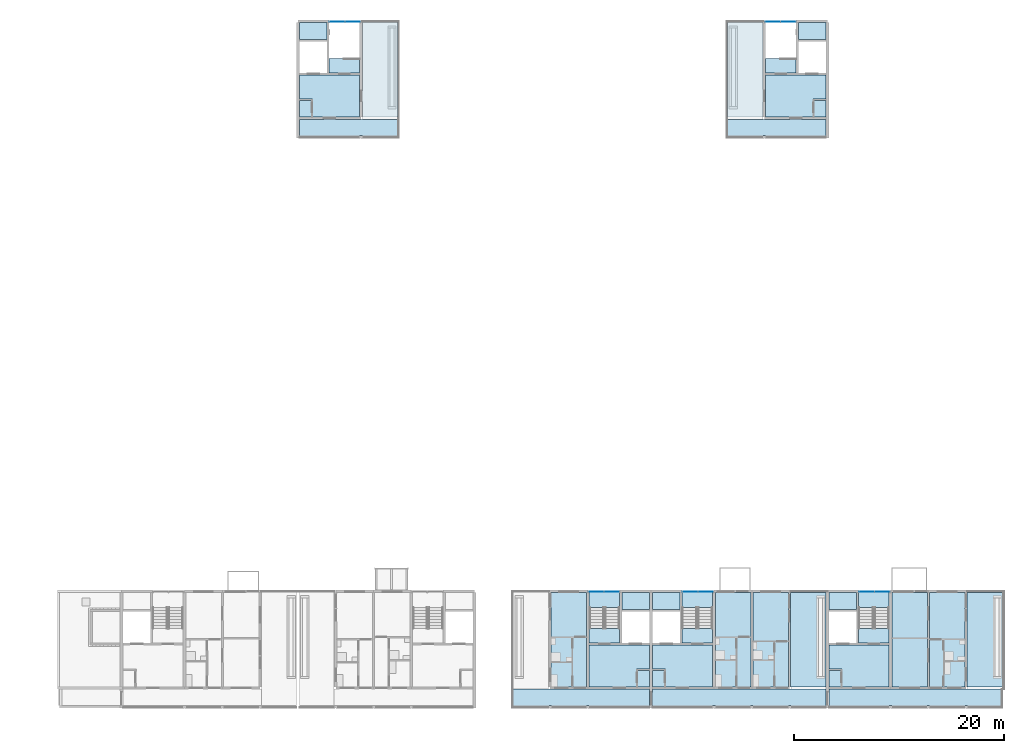
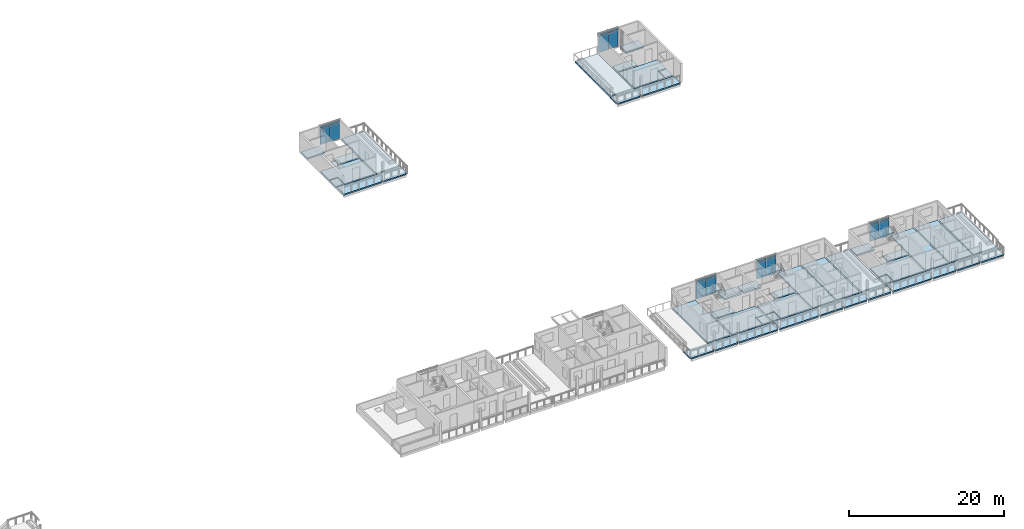
# One storey, part 25 of 55: 37 slabs, 20 plates, 8 elements without a shape of their own.
"""IFC4 building model written with IfcOpenShell, lengths in metres."""

from ifc_helpers import new_model, si_unit, direction, frame, origin, origin_2d, place, context, subcontext, project, spatial, polyline, rectangle, outline, extrude, material, layer, layer_set, type_object, element, aggregate, save


model = new_model("IFC4")

# Units and contexts
model_context = context("Model", 3, precision=1e-05, world=origin(), true_north=direction((0.0, 1.0)))
body_context = subcontext(model_context, "Body", "Model", "MODEL_VIEW")
ifc_project = project(units=[si_unit("LENGTHUNIT", "METRE"), si_unit("AREAUNIT", "SQUARE_METRE"), si_unit("VOLUMEUNIT", "CUBIC_METRE"), si_unit("PLANEANGLEUNIT", "RADIAN"), si_unit("MASSUNIT", "GRAM", prefix="KILO")], contexts=[model_context])

# Site, building, storey
site_placement = place(None, origin())
site = spatial("IfcSite", under=ifc_project, at=site_placement, CompositionType="ELEMENT")
building_placement = place(site_placement, origin())
building = spatial("IfcBuilding", under=site, at=building_placement, Name="Ridgestep Commons", CompositionType="ELEMENT")
storey_placement = place(building_placement, frame((0.0, 0.0, 36.0)))
storey = spatial("IfcBuildingStorey", under=building, at=storey_placement, Name="L12", CompositionType="ELEMENT", Elevation=36.0)

# Slabs
ifc_material_1 = material(Name="Precast concrete C40/50", Category="concrete")
ifc_layer_1 = layer(ifc_material_1, 0.199951171875)
ifc_layer_set_1 = layer_set([ifc_layer_1], Name="Gallery slab 200")
slab_type_1 = type_object("IfcSlabType", Name="Gallery slab 200", PredefinedType="FLOOR", material=ifc_layer_set_1)
slab_1_placement = place(storey_placement, frame((0.0, 0.0, -0.199951171875)))
element("IfcSlab", 1, at=slab_1_placement, inside=storey, type_object=slab_type_1, Name="Gallery slab C3 L12", PredefinedType="FLOOR", context=body_context, shape_type="SweptSolid", body=[
    extrude(outline(polyline([(180.550048828125, 67.800048828125), (180.550048828125, 66.0), (186.27490234375, 66.0), (186.27490234375, 66.25), (186.52490234375, 66.25), (186.52490234375, 66.0), (189.875, 66.0), (189.875, 66.25), (190.0, 66.25), (190.0, 67.800048828125), (180.550048828125, 67.800048828125)])), origin(), (0.0, 0.0, 1.0), 0.199951171875),
])
slab_2_placement = place(storey_placement, frame((0.0, 0.0, -0.199951171875)))
element("IfcSlab", 2, at=slab_2_placement, inside=storey, type_object=slab_type_1, Name="Gallery slab C5 L12", PredefinedType="FLOOR", context=body_context, shape_type="SweptSolid", body=[
    extrude(outline(polyline([(230.64990234375, 67.800048828125), (221.199951171875, 67.800048828125), (221.199951171875, 66.25), (221.324951171875, 66.25), (221.324951171875, 66.0), (224.675048828125, 66.0), (224.675048828125, 66.25), (224.925048828125, 66.25), (224.925048828125, 66.0), (230.64990234375, 66.0), (230.64990234375, 67.800048828125)])), origin(), (0.0, 0.0, 1.0), 0.199951171875),
])
slab_3_placement = place(storey_placement, frame((0.0, 0.0, -0.199951171875)))
element("IfcSlab", 3, at=slab_3_placement, inside=storey, type_object=slab_type_1, Name="Gallery slab D4 L12", PredefinedType="FLOOR", context=body_context, shape_type="SweptSolid", body=[
    extrude(outline(polyline([(213.85009765625, 11.75), (213.85009765625, 13.550048828125), (200.800048828125, 13.550048828125), (200.800048828125, 12.0), (200.925048828125, 12.0), (200.925048828125, 11.75), (204.27490234375, 11.75), (204.27490234375, 12.0), (204.52490234375, 12.0), (204.52490234375, 11.75), (207.875, 11.75), (207.875, 12.0), (208.125, 12.0), (208.125, 11.75), (213.85009765625, 11.75)])), origin(), (0.0, 0.0, 1.0), 0.199951171875),
])
slab_4_placement = place(storey_placement, frame((0.0, 0.0, -0.199951171875)))
element("IfcSlab", 4, at=slab_4_placement, inside=storey, type_object=slab_type_1, Name="Gallery slab D5 L12", PredefinedType="FLOOR", context=body_context, shape_type="SweptSolid", body=[
    extrude(outline(polyline([(230.64990234375, 13.550048828125), (214.14990234375, 13.550048828125), (214.14990234375, 11.75), (219.875, 11.75), (219.875, 12.0), (220.125, 12.0), (220.125, 11.75), (223.47509765625, 11.75), (223.47509765625, 12.0), (223.72509765625, 12.0), (223.72509765625, 11.75), (227.074951171875, 11.75), (227.074951171875, 12.0), (227.324951171875, 12.0), (227.324951171875, 11.75), (230.64990234375, 11.75), (230.64990234375, 13.550048828125)])), origin(), (0.0, 0.0, 1.0), 0.199951171875),
])
slab_5_placement = place(storey_placement, frame((0.0, 0.0, -0.199951171875)))
element("IfcSlab", 5, at=slab_5_placement, inside=storey, type_object=slab_type_1, Name="Gallery slab D6 L12", PredefinedType="FLOOR", context=body_context, shape_type="SweptSolid", body=[
    extrude(outline(polyline([(247.449951171875, 13.550048828125), (230.949951171875, 13.550048828125), (230.949951171875, 11.75), (236.675048828125, 11.75), (236.675048828125, 12.0), (236.925048828125, 12.0), (236.925048828125, 11.75), (240.27490234375, 11.75), (240.27490234375, 12.0), (240.52490234375, 12.0), (240.52490234375, 11.75), (243.875, 11.75), (243.875, 12.0), (244.125, 12.0), (244.125, 11.75), (247.449951171875, 11.75), (247.449951171875, 13.550048828125)])), origin(), (0.0, 0.0, 1.0), 0.199951171875),
])

# Curtain wall, plates
ifc_material_2 = material(Name="Aluminium 6063-T6 and glass", Category="aluminium")
curtain_wall_type = type_object("IfcCurtainWallType", Name="Curtain wall stair strip", PredefinedType="NOTDEFINED", material=ifc_material_2)
curtain_wall_1_placement = place(storey_placement, origin())
curtain_wall_1 = element("IfcCurtainWall", 6, at=curtain_wall_1_placement, inside=storey, type_object=curtain_wall_type, Name="Curtain wall D4C level 12", PredefinedType="NOTDEFINED")
ifc_material_3 = material(Name="Glass laminated 6/16/6 low-emissivity", Category="glass")
ifc_layer_2 = layer(ifc_material_3, 0.028076171875)
ifc_layer_set_2 = layer_set([ifc_layer_2], Name="Glazing panel 28")
plate_type_1 = type_object("IfcPlateType", Name="Glazing panel 28", PredefinedType="CURTAIN_PANEL", material=ifc_layer_set_2)
plate_1_placement = place(storey_placement, frame((208.771240234375, 22.830078125, 0.06005859375), z_axis=(0.0, 0.0, 1.0), x_axis=(1.0, 0.0, 0.0)))
plate_1 = element("IfcPlate", 7, at=plate_1_placement, type_object=plate_type_1, Name="CW1 panel 1.1", PredefinedType="CURTAIN_PANEL", context=body_context, shape_type="SweptSolid", body=[
    extrude(rectangle(XDim=1.422607421875, YDim=0.028076171875, at=origin_2d()), origin(), (0.0, 0.0, 1.0), 2.5),
])
plate_2_placement = place(storey_placement, frame((210.253662109375, 22.830078125, 0.06005859375), z_axis=(0.0, 0.0, 1.0), x_axis=(1.0, 0.0, 0.0)))
plate_2 = element("IfcPlate", 8, at=plate_2_placement, type_object=plate_type_1, Name="CW1 panel 2.1", PredefinedType="CURTAIN_PANEL", context=body_context, shape_type="SweptSolid", body=[
    extrude(rectangle(XDim=1.422607421875, YDim=0.028076171875, at=origin_2d()), origin(), (0.0, 0.0, 1.0), 2.5),
])

curtain_wall_2_placement = place(storey_placement, origin())
curtain_wall_2 = element("IfcCurtainWall", 9, at=curtain_wall_2_placement, inside=storey, type_object=curtain_wall_type, Name="Curtain wall D5C level 12", PredefinedType="NOTDEFINED")
plate_3_placement = place(storey_placement, frame((217.746337890625, 22.830078125, 0.06005859375), z_axis=(0.0, 0.0, 1.0), x_axis=(1.0, 0.0, 0.0)))
plate_3 = element("IfcPlate", 10, at=plate_3_placement, type_object=plate_type_1, Name="CW1 panel 1.1", PredefinedType="CURTAIN_PANEL", context=body_context, shape_type="SweptSolid", body=[
    extrude(rectangle(XDim=1.422607421875, YDim=0.028076171875, at=origin_2d()), origin(), (0.0, 0.0, 1.0), 2.5),
])
plate_4_placement = place(storey_placement, frame((219.228759765625, 22.830078125, 0.06005859375), z_axis=(0.0, 0.0, 1.0), x_axis=(1.0, 0.0, 0.0)))
plate_4 = element("IfcPlate", 11, at=plate_4_placement, type_object=plate_type_1, Name="CW1 panel 2.1", PredefinedType="CURTAIN_PANEL", context=body_context, shape_type="SweptSolid", body=[
    extrude(rectangle(XDim=1.422607421875, YDim=0.028076171875, at=origin_2d()), origin(), (0.0, 0.0, 1.0), 2.5),
])

curtain_wall_3_placement = place(storey_placement, origin())
curtain_wall_3 = element("IfcCurtainWall", 12, at=curtain_wall_3_placement, inside=storey, type_object=curtain_wall_type, Name="Curtain wall D6C level 12", PredefinedType="NOTDEFINED")
plate_5_placement = place(storey_placement, frame((234.546142578125, 22.830078125, 0.06005859375), z_axis=(0.0, 0.0, 1.0), x_axis=(1.0, 0.0, 0.0)))
plate_5 = element("IfcPlate", 13, at=plate_5_placement, type_object=plate_type_1, Name="CW1 panel 1.1", PredefinedType="CURTAIN_PANEL", context=body_context, shape_type="SweptSolid", body=[
    extrude(rectangle(XDim=1.422607421875, YDim=0.028076171875, at=origin_2d()), origin(), (0.0, 0.0, 1.0), 2.5),
])
plate_6_placement = place(storey_placement, frame((236.02880859375, 22.830078125, 0.06005859375), z_axis=(0.0, 0.0, 1.0), x_axis=(1.0, 0.0, 0.0)))
plate_6 = element("IfcPlate", 14, at=plate_6_placement, type_object=plate_type_1, Name="CW1 panel 2.1", PredefinedType="CURTAIN_PANEL", context=body_context, shape_type="SweptSolid", body=[
    extrude(rectangle(XDim=1.422607421875, YDim=0.028076171875, at=origin_2d()), origin(), (0.0, 0.0, 1.0), 2.5),
])

curtain_wall_4_placement = place(storey_placement, origin())
curtain_wall_4 = element("IfcCurtainWall", 15, at=curtain_wall_4_placement, inside=storey, type_object=curtain_wall_type, Name="Curtain wall C3C level 12", PredefinedType="NOTDEFINED")
plate_7_placement = place(storey_placement, frame((184.146240234375, 77.080078125, 0.06005859375), z_axis=(0.0, 0.0, 1.0), x_axis=(1.0, 0.0, 0.0)))
plate_7 = element("IfcPlate", 16, at=plate_7_placement, type_object=plate_type_1, Name="CW1 panel 1.1", PredefinedType="CURTAIN_PANEL", context=body_context, shape_type="SweptSolid", body=[
    extrude(rectangle(XDim=1.422607421875, YDim=0.028076171875, at=origin_2d()), origin(), (0.0, 0.0, 1.0), 2.5),
])
plate_8_placement = place(storey_placement, frame((185.628662109375, 77.080078125, 0.06005859375), z_axis=(0.0, 0.0, 1.0), x_axis=(1.0, 0.0, 0.0)))
plate_8 = element("IfcPlate", 17, at=plate_8_placement, type_object=plate_type_1, Name="CW1 panel 2.1", PredefinedType="CURTAIN_PANEL", context=body_context, shape_type="SweptSolid", body=[
    extrude(rectangle(XDim=1.422607421875, YDim=0.028076171875, at=origin_2d()), origin(), (0.0, 0.0, 1.0), 2.5),
])

curtain_wall_5_placement = place(storey_placement, origin())
curtain_wall_5 = element("IfcCurtainWall", 18, at=curtain_wall_5_placement, inside=storey, type_object=curtain_wall_type, Name="Curtain wall C5C level 12", PredefinedType="NOTDEFINED")
plate_9_placement = place(storey_placement, frame((225.5712890625, 77.080078125, 0.06005859375), z_axis=(0.0, 0.0, 1.0), x_axis=(1.0, 0.0, 0.0)))
plate_9 = element("IfcPlate", 19, at=plate_9_placement, type_object=plate_type_1, Name="CW1 panel 1.1", PredefinedType="CURTAIN_PANEL", context=body_context, shape_type="SweptSolid", body=[
    extrude(rectangle(XDim=1.422607421875, YDim=0.028076171875, at=origin_2d()), origin(), (0.0, 0.0, 1.0), 2.5),
])
plate_10_placement = place(storey_placement, frame((227.0537109375, 77.080078125, 0.06005859375), z_axis=(0.0, 0.0, 1.0), x_axis=(1.0, 0.0, 0.0)))
plate_10 = element("IfcPlate", 20, at=plate_10_placement, type_object=plate_type_1, Name="CW1 panel 2.1", PredefinedType="CURTAIN_PANEL", context=body_context, shape_type="SweptSolid", body=[
    extrude(rectangle(XDim=1.422607421875, YDim=0.028076171875, at=origin_2d()), origin(), (0.0, 0.0, 1.0), 2.5),
])

# Slabs
ifc_material_4 = material(Name="Precast concrete C50/60", Category="concrete")
ifc_layer_3 = layer(ifc_material_4, 0.199951171875)
ifc_layer_set_3 = layer_set([ifc_layer_3], Name="Hollow-core plank 200")
slab_type_2 = type_object("IfcSlabType", Name="Hollow-core plank 200", PredefinedType="FLOOR", material=ifc_layer_set_3)
slab_6_placement = place(storey_placement, frame((0.0, 0.0, -0.199951171875)))
element("IfcSlab", 21, at=slab_6_placement, inside=storey, type_object=slab_type_2, Name="Floor plank D4T3 L12", PredefinedType="FLOOR", context=body_context, shape_type="SweptSolid", body=[
    extrude(outline(polyline([(207.875, 13.75), (207.875, 22.75), (204.5, 22.75), (204.5, 13.75), (207.875, 13.75)])), origin(), (0.0, 0.0, 1.0), 0.199951171875),
])
slab_7_placement = place(storey_placement, frame((0.0, 0.0, -0.199951171875)))
element("IfcSlab", 22, at=slab_7_placement, inside=storey, type_object=slab_type_2, Name="Floor plank D5T3 L12", PredefinedType="FLOOR", context=body_context, shape_type="SweptSolid", body=[
    extrude(outline(polyline([(223.5, 13.75), (223.5, 22.75), (220.125, 22.75), (220.125, 13.75), (223.5, 13.75)])), origin(), (0.0, 0.0, 1.0), 0.199951171875),
])
slab_8_placement = place(storey_placement, frame((0.0, 0.0, -0.199951171875)))
element("IfcSlab", 23, at=slab_8_placement, inside=storey, type_object=slab_type_2, Name="Floor plank D5T2 L12", PredefinedType="FLOOR", context=body_context, shape_type="SweptSolid", body=[
    extrude(outline(polyline([(227.10009765625, 13.75), (227.10009765625, 22.75), (223.699951171875, 22.75), (223.699951171875, 13.75), (227.10009765625, 13.75)])), origin(), (0.0, 0.0, 1.0), 0.199951171875),
])
slab_9_placement = place(storey_placement, frame((0.0, 0.0, -0.199951171875)))
element("IfcSlab", 24, at=slab_9_placement, inside=storey, type_object=slab_type_2, Name="Floor plank D6T3 L12", PredefinedType="FLOOR", context=body_context, shape_type="SweptSolid", body=[
    extrude(outline(polyline([(240.300048828125, 13.75), (240.300048828125, 22.75), (236.925048828125, 22.75), (236.925048828125, 13.75), (240.300048828125, 13.75)])), origin(), (0.0, 0.0, 1.0), 0.199951171875),
])
slab_10_placement = place(storey_placement, frame((0.0, 0.0, -0.199951171875)))
element("IfcSlab", 25, at=slab_10_placement, inside=storey, type_object=slab_type_2, Name="Floor plank D6T2 L12", PredefinedType="FLOOR", context=body_context, shape_type="SweptSolid", body=[
    extrude(outline(polyline([(243.89990234375, 13.75), (243.89990234375, 22.75), (240.5, 22.75), (240.5, 13.75), (243.89990234375, 13.75)])), origin(), (0.0, 0.0, 1.0), 0.199951171875),
])
ifc_material_5 = material(Name="Precast concrete C50/60", Category="concrete")
ifc_layer_4 = layer(ifc_material_5, 0.25)
ifc_layer_set_4 = layer_set([ifc_layer_4], Name="Hollow-core plank 250")
slab_type_3 = type_object("IfcSlabType", Name="Hollow-core plank 250", PredefinedType="FLOOR", material=ifc_layer_set_4)
slab_11_placement = place(storey_placement, frame((0.0, 0.0, -0.25)))
element("IfcSlab", 26, at=slab_11_placement, inside=storey, type_object=slab_type_3, Name="Floor plank C3C L12", PredefinedType="FLOOR", context=body_context, shape_type="SweptSolid", body=[
    extrude(outline(polyline([(181.800048828125, 68.0), (186.27490234375, 68.0), (186.27490234375, 72.0), (180.550048828125, 72.0), (180.550048828125, 69.719970703125), (181.679931640625, 69.719970703125), (181.800048828125, 69.719970703125), (181.800048828125, 68.0)])), origin(), (0.0, 0.0, 1.0), 0.25),
])
slab_12_placement = place(storey_placement, frame((0.0, 0.0, -0.25)))
element("IfcSlab", 27, at=slab_12_placement, inside=storey, type_object=slab_type_3, Name="Floor plank C3C L12", PredefinedType="FLOOR", context=body_context, shape_type="SweptSolid", body=[
    extrude(outline(polyline([(183.175048828125, 77.0), (180.550048828125, 77.0), (180.550048828125, 75.39990234375), (183.175048828125, 75.39990234375), (183.175048828125, 77.0)])), origin(), (0.0, 0.0, 1.0), 0.25),
])
slab_13_placement = place(storey_placement, frame((0.0, 0.0, -0.25)))
element("IfcSlab", 28, at=slab_13_placement, inside=storey, type_object=slab_type_3, Name="Floor plank C3C L12", PredefinedType="FLOOR", context=body_context, shape_type="SweptSolid", body=[
    extrude(outline(polyline([(186.27490234375, 72.199951171875), (186.27490234375, 73.60009765625), (183.375, 73.60009765625), (183.375, 72.199951171875), (186.27490234375, 72.199951171875)])), origin(), (0.0, 0.0, 1.0), 0.25),
])
slab_14_placement = place(storey_placement, frame((0.0, 0.0, -0.25)))
element("IfcSlab", 29, at=slab_14_placement, inside=storey, type_object=slab_type_3, Name="Floor plank C3C L12", PredefinedType="FLOOR", context=body_context, shape_type="SweptSolid", body=[
    extrude(outline(polyline([(181.679931640625, 69.60009765625), (180.550048828125, 69.60009765625), (180.550048828125, 68.0), (181.679931640625, 68.0), (181.679931640625, 69.60009765625)])), origin(), (0.0, 0.0, 1.0), 0.25),
])
slab_15_placement = place(storey_placement, frame((0.0, 0.0, -0.25)))
element("IfcSlab", 30, at=slab_15_placement, inside=storey, type_object=slab_type_3, Name="Floor plank C5C L12", PredefinedType="FLOOR", context=body_context, shape_type="SweptSolid", body=[
    extrude(outline(polyline([(229.52001953125, 69.719970703125), (230.64990234375, 69.719970703125), (230.64990234375, 72.0), (224.925048828125, 72.0), (224.925048828125, 68.0), (229.39990234375, 68.0), (229.39990234375, 69.719970703125), (229.52001953125, 69.719970703125)])), origin(), (0.0, 0.0, 1.0), 0.25),
])
slab_16_placement = place(storey_placement, frame((0.0, 0.0, -0.25)))
element("IfcSlab", 31, at=slab_16_placement, inside=storey, type_object=slab_type_3, Name="Floor plank C5C L12", PredefinedType="FLOOR", context=body_context, shape_type="SweptSolid", body=[
    extrude(outline(polyline([(230.64990234375, 75.39990234375), (230.64990234375, 77.0), (228.02490234375, 77.0), (228.02490234375, 75.39990234375), (230.64990234375, 75.39990234375)])), origin(), (0.0, 0.0, 1.0), 0.25),
])
slab_17_placement = place(storey_placement, frame((0.0, 0.0, -0.25)))
element("IfcSlab", 32, at=slab_17_placement, inside=storey, type_object=slab_type_3, Name="Floor plank C5C L12", PredefinedType="FLOOR", context=body_context, shape_type="SweptSolid", body=[
    extrude(outline(polyline([(227.824951171875, 72.199951171875), (227.824951171875, 73.60009765625), (224.925048828125, 73.60009765625), (224.925048828125, 72.199951171875), (227.824951171875, 72.199951171875)])), origin(), (0.0, 0.0, 1.0), 0.25),
])
slab_18_placement = place(storey_placement, frame((0.0, 0.0, -0.25)))
element("IfcSlab", 33, at=slab_18_placement, inside=storey, type_object=slab_type_3, Name="Floor plank C5C L12", PredefinedType="FLOOR", context=body_context, shape_type="SweptSolid", body=[
    extrude(outline(polyline([(229.52001953125, 68.0), (230.64990234375, 68.0), (230.64990234375, 69.60009765625), (229.52001953125, 69.60009765625), (229.52001953125, 68.0)])), origin(), (0.0, 0.0, 1.0), 0.25),
])
slab_19_placement = place(storey_placement, frame((0.0, 0.0, -0.25)))
element("IfcSlab", 34, at=slab_19_placement, inside=storey, type_object=slab_type_3, Name="Floor plank D4C L12", PredefinedType="FLOOR", context=body_context, shape_type="SweptSolid", body=[
    extrude(outline(polyline([(212.719970703125, 15.469970703125), (213.85009765625, 15.469970703125), (213.85009765625, 17.75), (208.125, 17.75), (208.125, 13.75), (212.60009765625, 13.75), (212.60009765625, 15.469970703125), (212.719970703125, 15.469970703125)])), origin(), (0.0, 0.0, 1.0), 0.25),
])
slab_20_placement = place(storey_placement, frame((0.0, 0.0, -0.25)))
element("IfcSlab", 35, at=slab_20_placement, inside=storey, type_object=slab_type_3, Name="Floor plank D4C L12", PredefinedType="FLOOR", context=body_context, shape_type="SweptSolid", body=[
    extrude(outline(polyline([(213.85009765625, 21.14990234375), (213.85009765625, 22.75), (211.22509765625, 22.75), (211.22509765625, 21.14990234375), (213.85009765625, 21.14990234375)])), origin(), (0.0, 0.0, 1.0), 0.25),
])
slab_21_placement = place(storey_placement, frame((0.0, 0.0, -0.25)))
element("IfcSlab", 36, at=slab_21_placement, inside=storey, type_object=slab_type_3, Name="Floor plank D4C L12", PredefinedType="FLOOR", context=body_context, shape_type="SweptSolid", body=[
    extrude(outline(polyline([(211.02490234375, 17.949951171875), (211.02490234375, 19.35009765625), (208.125, 19.35009765625), (208.125, 17.949951171875), (211.02490234375, 17.949951171875)])), origin(), (0.0, 0.0, 1.0), 0.25),
])
slab_22_placement = place(storey_placement, frame((0.0, 0.0, -0.25)))
element("IfcSlab", 37, at=slab_22_placement, inside=storey, type_object=slab_type_3, Name="Floor plank D4C L12", PredefinedType="FLOOR", context=body_context, shape_type="SweptSolid", body=[
    extrude(outline(polyline([(212.719970703125, 13.75), (213.85009765625, 13.75), (213.85009765625, 15.35009765625), (212.719970703125, 15.35009765625), (212.719970703125, 13.75)])), origin(), (0.0, 0.0, 1.0), 0.25),
])
slab_23_placement = place(storey_placement, frame((0.0, 0.0, -0.25)))
element("IfcSlab", 38, at=slab_23_placement, inside=storey, type_object=slab_type_3, Name="Floor plank D5C L12", PredefinedType="FLOOR", context=body_context, shape_type="SweptSolid", body=[
    extrude(outline(polyline([(215.39990234375, 13.75), (219.875, 13.75), (219.875, 17.75), (214.14990234375, 17.75), (214.14990234375, 15.469970703125), (215.280029296875, 15.469970703125), (215.39990234375, 15.469970703125), (215.39990234375, 13.75)])), origin(), (0.0, 0.0, 1.0), 0.25),
])
slab_24_placement = place(storey_placement, frame((0.0, 0.0, -0.25)))
element("IfcSlab", 39, at=slab_24_placement, inside=storey, type_object=slab_type_3, Name="Floor plank D5C L12", PredefinedType="FLOOR", context=body_context, shape_type="SweptSolid", body=[
    extrude(outline(polyline([(216.77490234375, 22.75), (214.14990234375, 22.75), (214.14990234375, 21.14990234375), (216.77490234375, 21.14990234375), (216.77490234375, 22.75)])), origin(), (0.0, 0.0, 1.0), 0.25),
])
slab_25_placement = place(storey_placement, frame((0.0, 0.0, -0.25)))
element("IfcSlab", 40, at=slab_25_placement, inside=storey, type_object=slab_type_3, Name="Floor plank D5C L12", PredefinedType="FLOOR", context=body_context, shape_type="SweptSolid", body=[
    extrude(outline(polyline([(219.875, 17.949951171875), (219.875, 19.35009765625), (216.97509765625, 19.35009765625), (216.97509765625, 17.949951171875), (219.875, 17.949951171875)])), origin(), (0.0, 0.0, 1.0), 0.25),
])
slab_26_placement = place(storey_placement, frame((0.0, 0.0, -0.25)))
element("IfcSlab", 41, at=slab_26_placement, inside=storey, type_object=slab_type_3, Name="Floor plank D5C L12", PredefinedType="FLOOR", context=body_context, shape_type="SweptSolid", body=[
    extrude(outline(polyline([(215.280029296875, 15.35009765625), (214.14990234375, 15.35009765625), (214.14990234375, 13.75), (215.280029296875, 13.75), (215.280029296875, 15.35009765625)])), origin(), (0.0, 0.0, 1.0), 0.25),
])
slab_27_placement = place(storey_placement, frame((0.0, 0.0, -0.25)))
element("IfcSlab", 42, at=slab_27_placement, inside=storey, type_object=slab_type_3, Name="Floor plank D6C L12", PredefinedType="FLOOR", context=body_context, shape_type="SweptSolid", body=[
    extrude(outline(polyline([(232.199951171875, 13.75), (236.675048828125, 13.75), (236.675048828125, 17.75), (230.949951171875, 17.75), (230.949951171875, 15.469970703125), (232.080078125, 15.469970703125), (232.199951171875, 15.469970703125), (232.199951171875, 13.75)])), origin(), (0.0, 0.0, 1.0), 0.25),
])
slab_28_placement = place(storey_placement, frame((0.0, 0.0, -0.25)))
element("IfcSlab", 43, at=slab_28_placement, inside=storey, type_object=slab_type_3, Name="Floor plank D6C L12", PredefinedType="FLOOR", context=body_context, shape_type="SweptSolid", body=[
    extrude(outline(polyline([(233.574951171875, 22.75), (230.949951171875, 22.75), (230.949951171875, 21.14990234375), (233.574951171875, 21.14990234375), (233.574951171875, 22.75)])), origin(), (0.0, 0.0, 1.0), 0.25),
])
slab_29_placement = place(storey_placement, frame((0.0, 0.0, -0.25)))
element("IfcSlab", 44, at=slab_29_placement, inside=storey, type_object=slab_type_3, Name="Floor plank D6C L12", PredefinedType="FLOOR", context=body_context, shape_type="SweptSolid", body=[
    extrude(outline(polyline([(236.675048828125, 17.949951171875), (236.675048828125, 19.35009765625), (233.77490234375, 19.35009765625), (233.77490234375, 17.949951171875), (236.675048828125, 17.949951171875)])), origin(), (0.0, 0.0, 1.0), 0.25),
])
slab_30_placement = place(storey_placement, frame((0.0, 0.0, -0.25)))
element("IfcSlab", 45, at=slab_30_placement, inside=storey, type_object=slab_type_3, Name="Floor plank D6C L12", PredefinedType="FLOOR", context=body_context, shape_type="SweptSolid", body=[
    extrude(outline(polyline([(232.080078125, 15.35009765625), (230.949951171875, 15.35009765625), (230.949951171875, 13.75), (232.080078125, 13.75), (232.080078125, 15.35009765625)])), origin(), (0.0, 0.0, 1.0), 0.25),
])
ifc_material_6 = material(Name="Precast concrete C50/60", Category="concrete")
ifc_layer_5 = layer(ifc_material_6, 0.25)
ifc_layer_set_5 = layer_set([ifc_layer_5], Name="Roof slab 250")
slab_type_4 = type_object("IfcSlabType", Name="Roof slab 250", PredefinedType="ROOF", material=ifc_layer_set_5)
slab_31_placement = place(storey_placement, frame((0.0, 0.0, -0.25)))
element("IfcSlab", 46, at=slab_31_placement, inside=storey, type_object=slab_type_4, Name="Terrace slab C3T3", PredefinedType="ROOF", context=body_context, shape_type="SweptSolid", body=[
    extrude(outline(polyline([(189.89990234375, 68.0), (189.89990234375, 77.0), (186.52490234375, 77.0), (186.52490234375, 68.0), (189.89990234375, 68.0)])), origin(), (0.0, 0.0, 1.0), 0.25),
])
slab_32_placement = place(storey_placement, frame((0.0, 0.0, -0.25)))
element("IfcSlab", 47, at=slab_32_placement, inside=storey, type_object=slab_type_4, Name="Terrace slab C5T3", PredefinedType="ROOF", context=body_context, shape_type="SweptSolid", body=[
    extrude(outline(polyline([(224.675048828125, 68.0), (224.675048828125, 77.0), (221.300048828125, 77.0), (221.300048828125, 68.0), (224.675048828125, 68.0)])), origin(), (0.0, 0.0, 1.0), 0.25),
])
slab_33_placement = place(storey_placement, frame((0.0, 0.0, -0.25)))
element("IfcSlab", 48, at=slab_33_placement, inside=storey, type_object=slab_type_4, Name="Terrace slab D5T1", PredefinedType="ROOF", context=body_context, shape_type="SweptSolid", body=[
    extrude(outline(polyline([(230.64990234375, 13.75), (230.64990234375, 22.75), (227.300048828125, 22.75), (227.300048828125, 13.75), (230.64990234375, 13.75)])), origin(), (0.0, 0.0, 1.0), 0.25),
])
slab_34_placement = place(storey_placement, frame((0.0, 0.0, -0.25)))
element("IfcSlab", 49, at=slab_34_placement, inside=storey, type_object=slab_type_4, Name="Terrace slab D6T1", PredefinedType="ROOF", context=body_context, shape_type="SweptSolid", body=[
    extrude(outline(polyline([(247.449951171875, 13.75), (247.449951171875, 22.75), (244.10009765625, 22.75), (244.10009765625, 13.75), (247.449951171875, 13.75)])), origin(), (0.0, 0.0, 1.0), 0.25),
])

# Plate
ifc_material_7 = material(Name="Aluminium 6063-T6 and mineral wool", Category="aluminium")
ifc_layer_6 = layer(ifc_material_7, 0.0400390625)
ifc_layer_set_6 = layer_set([ifc_layer_6], Name="Spandrel panel 40")
plate_type_2 = type_object("IfcPlateType", Name="Spandrel panel 40", PredefinedType="CURTAIN_PANEL", material=ifc_layer_set_6)
plate_11_placement = place(storey_placement, frame((208.771240234375, 22.830078125, 2.6201171875), z_axis=(0.0, 0.0, 1.0), x_axis=(1.0, 0.0, 0.0)))
plate_11 = element("IfcPlate", 50, at=plate_11_placement, type_object=plate_type_2, Name="CW1 panel 1.2", PredefinedType="CURTAIN_PANEL", context=body_context, shape_type="SweptSolid", body=[
    extrude(rectangle(XDim=1.422607421875, YDim=0.0400390625, at=origin_2d()), origin(), (0.0, 0.0, 1.0), 0.320068359375),
])

plate_12_placement = place(storey_placement, frame((210.253662109375, 22.830078125, 2.6201171875), z_axis=(0.0, 0.0, 1.0), x_axis=(1.0, 0.0, 0.0)))
plate_12 = element("IfcPlate", 51, at=plate_12_placement, type_object=plate_type_2, Name="CW1 panel 2.2", PredefinedType="CURTAIN_PANEL", context=body_context, shape_type="SweptSolid", body=[
    extrude(rectangle(XDim=1.422607421875, YDim=0.0400390625, at=origin_2d()), origin(), (0.0, 0.0, 1.0), 0.320068359375),
])

aggregate(curtain_wall_1, [plate_1, plate_11, plate_2, plate_12])

plate_13_placement = place(storey_placement, frame((217.746337890625, 22.830078125, 2.6201171875), z_axis=(0.0, 0.0, 1.0), x_axis=(1.0, 0.0, 0.0)))
plate_13 = element("IfcPlate", 52, at=plate_13_placement, type_object=plate_type_2, Name="CW1 panel 1.2", PredefinedType="CURTAIN_PANEL", context=body_context, shape_type="SweptSolid", body=[
    extrude(rectangle(XDim=1.422607421875, YDim=0.0400390625, at=origin_2d()), origin(), (0.0, 0.0, 1.0), 0.320068359375),
])

plate_14_placement = place(storey_placement, frame((219.228759765625, 22.830078125, 2.6201171875), z_axis=(0.0, 0.0, 1.0), x_axis=(1.0, 0.0, 0.0)))
plate_14 = element("IfcPlate", 53, at=plate_14_placement, type_object=plate_type_2, Name="CW1 panel 2.2", PredefinedType="CURTAIN_PANEL", context=body_context, shape_type="SweptSolid", body=[
    extrude(rectangle(XDim=1.422607421875, YDim=0.0400390625, at=origin_2d()), origin(), (0.0, 0.0, 1.0), 0.320068359375),
])

aggregate(curtain_wall_2, [plate_3, plate_13, plate_4, plate_14])

plate_15_placement = place(storey_placement, frame((234.546142578125, 22.830078125, 2.6201171875), z_axis=(0.0, 0.0, 1.0), x_axis=(1.0, 0.0, 0.0)))
plate_15 = element("IfcPlate", 54, at=plate_15_placement, type_object=plate_type_2, Name="CW1 panel 1.2", PredefinedType="CURTAIN_PANEL", context=body_context, shape_type="SweptSolid", body=[
    extrude(rectangle(XDim=1.422607421875, YDim=0.0400390625, at=origin_2d()), origin(), (0.0, 0.0, 1.0), 0.320068359375),
])

plate_16_placement = place(storey_placement, frame((236.02880859375, 22.830078125, 2.6201171875), z_axis=(0.0, 0.0, 1.0), x_axis=(1.0, 0.0, 0.0)))
plate_16 = element("IfcPlate", 55, at=plate_16_placement, type_object=plate_type_2, Name="CW1 panel 2.2", PredefinedType="CURTAIN_PANEL", context=body_context, shape_type="SweptSolid", body=[
    extrude(rectangle(XDim=1.422607421875, YDim=0.0400390625, at=origin_2d()), origin(), (0.0, 0.0, 1.0), 0.320068359375),
])

aggregate(curtain_wall_3, [plate_5, plate_15, plate_6, plate_16])

plate_17_placement = place(storey_placement, frame((184.146240234375, 77.080078125, 2.6201171875), z_axis=(0.0, 0.0, 1.0), x_axis=(1.0, 0.0, 0.0)))
plate_17 = element("IfcPlate", 56, at=plate_17_placement, type_object=plate_type_2, Name="CW1 panel 1.2", PredefinedType="CURTAIN_PANEL", context=body_context, shape_type="SweptSolid", body=[
    extrude(rectangle(XDim=1.422607421875, YDim=0.0400390625, at=origin_2d()), origin(), (0.0, 0.0, 1.0), 0.320068359375),
])

plate_18_placement = place(storey_placement, frame((185.628662109375, 77.080078125, 2.6201171875), z_axis=(0.0, 0.0, 1.0), x_axis=(1.0, 0.0, 0.0)))
plate_18 = element("IfcPlate", 57, at=plate_18_placement, type_object=plate_type_2, Name="CW1 panel 2.2", PredefinedType="CURTAIN_PANEL", context=body_context, shape_type="SweptSolid", body=[
    extrude(rectangle(XDim=1.422607421875, YDim=0.0400390625, at=origin_2d()), origin(), (0.0, 0.0, 1.0), 0.320068359375),
])

aggregate(curtain_wall_4, [plate_7, plate_17, plate_8, plate_18])

plate_19_placement = place(storey_placement, frame((225.5712890625, 77.080078125, 2.6201171875), z_axis=(0.0, 0.0, 1.0), x_axis=(1.0, 0.0, 0.0)))
plate_19 = element("IfcPlate", 58, at=plate_19_placement, type_object=plate_type_2, Name="CW1 panel 1.2", PredefinedType="CURTAIN_PANEL", context=body_context, shape_type="SweptSolid", body=[
    extrude(rectangle(XDim=1.422607421875, YDim=0.0400390625, at=origin_2d()), origin(), (0.0, 0.0, 1.0), 0.320068359375),
])

plate_20_placement = place(storey_placement, frame((227.0537109375, 77.080078125, 2.6201171875), z_axis=(0.0, 0.0, 1.0), x_axis=(1.0, 0.0, 0.0)))
plate_20 = element("IfcPlate", 59, at=plate_20_placement, type_object=plate_type_2, Name="CW1 panel 2.2", PredefinedType="CURTAIN_PANEL", context=body_context, shape_type="SweptSolid", body=[
    extrude(rectangle(XDim=1.422607421875, YDim=0.0400390625, at=origin_2d()), origin(), (0.0, 0.0, 1.0), 0.320068359375),
])

aggregate(curtain_wall_5, [plate_9, plate_19, plate_10, plate_20])

# Stair, slab
ifc_material_8 = material(Name="Precast concrete C40/50", Category="concrete")
stair_type = type_object("IfcStairType", Name="Escape stair 1400", PredefinedType="HALF_TURN_STAIR", material=ifc_material_8)
stair_1_placement = place(storey_placement, origin())
stair_1 = element("IfcStair", 60, at=stair_1_placement, inside=storey, type_object=stair_type, Name="L12 Escape stair D4C", PredefinedType="HALF_TURN_STAIR")
ifc_material_9 = material(Name="Precast concrete C40/50", Category="concrete")
ifc_layer_7 = layer(ifc_material_9, 0.199951171875)
ifc_layer_set_7 = layer_set([ifc_layer_7], Name="Stair landing 200")
slab_type_5 = type_object("IfcSlabType", Name="Stair landing 200", PredefinedType="LANDING", material=ifc_layer_set_7)
slab_35_placement = place(storey_placement, frame((0.0, 0.0, 1.300048828125)))
slab_35 = element("IfcSlab", 61, at=slab_35_placement, type_object=slab_type_5, Name="D4C landing 1", PredefinedType="LANDING", context=body_context, shape_type="SweptSolid", body=[
    extrude(outline(polyline([(211.02490234375, 21.31005859375), (211.02490234375, 22.75), (208.125, 22.75), (208.125, 21.31005859375), (211.02490234375, 21.31005859375)])), origin(), (0.0, 0.0, 1.0), 0.199951171875),
])
aggregate(stair_1, [slab_35])

stair_2_placement = place(storey_placement, origin())
stair_2 = element("IfcStair", 62, at=stair_2_placement, inside=storey, type_object=stair_type, Name="L12 Escape stair D5C", PredefinedType="HALF_TURN_STAIR")
slab_36_placement = place(storey_placement, frame((0.0, 0.0, 1.300048828125)))
slab_36 = element("IfcSlab", 63, at=slab_36_placement, type_object=slab_type_5, Name="D5C landing 1", PredefinedType="LANDING", context=body_context, shape_type="SweptSolid", body=[
    extrude(outline(polyline([(219.875, 21.31005859375), (219.875, 22.75), (216.97509765625, 22.75), (216.97509765625, 21.31005859375), (219.875, 21.31005859375)])), origin(), (0.0, 0.0, 1.0), 0.199951171875),
])
aggregate(stair_2, [slab_36])

stair_3_placement = place(storey_placement, origin())
stair_3 = element("IfcStair", 64, at=stair_3_placement, inside=storey, type_object=stair_type, Name="L12 Escape stair D6C", PredefinedType="HALF_TURN_STAIR")
slab_37_placement = place(storey_placement, frame((0.0, 0.0, 1.300048828125)))
slab_37 = element("IfcSlab", 65, at=slab_37_placement, type_object=slab_type_5, Name="D6C landing 1", PredefinedType="LANDING", context=body_context, shape_type="SweptSolid", body=[
    extrude(outline(polyline([(236.675048828125, 21.31005859375), (236.675048828125, 22.75), (233.77490234375, 22.75), (233.77490234375, 21.31005859375), (236.675048828125, 21.31005859375)])), origin(), (0.0, 0.0, 1.0), 0.199951171875),
])
aggregate(stair_3, [slab_37])

save(model, "model.ifc")
